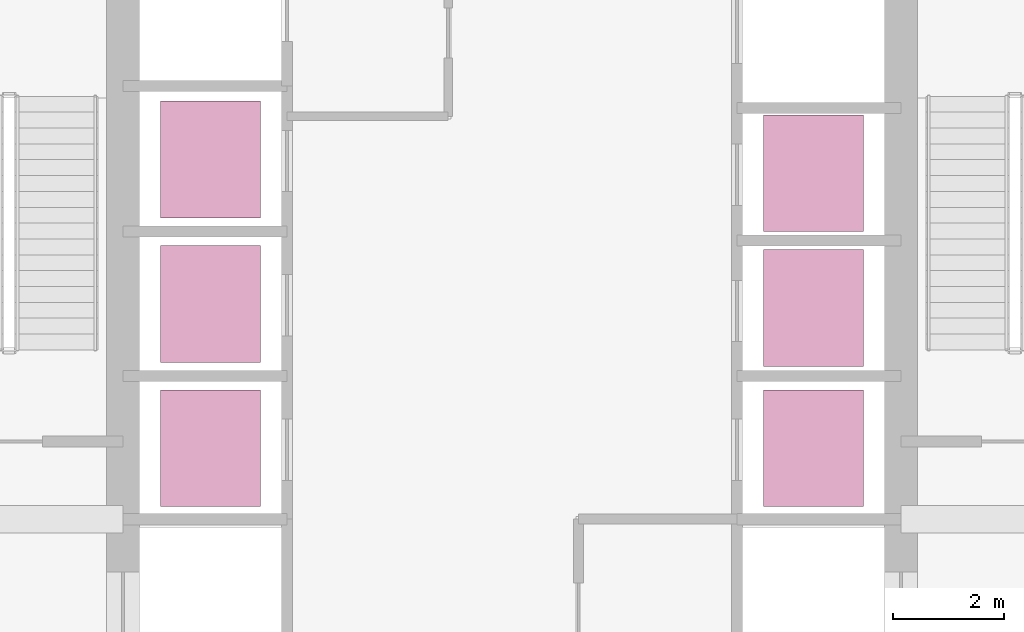
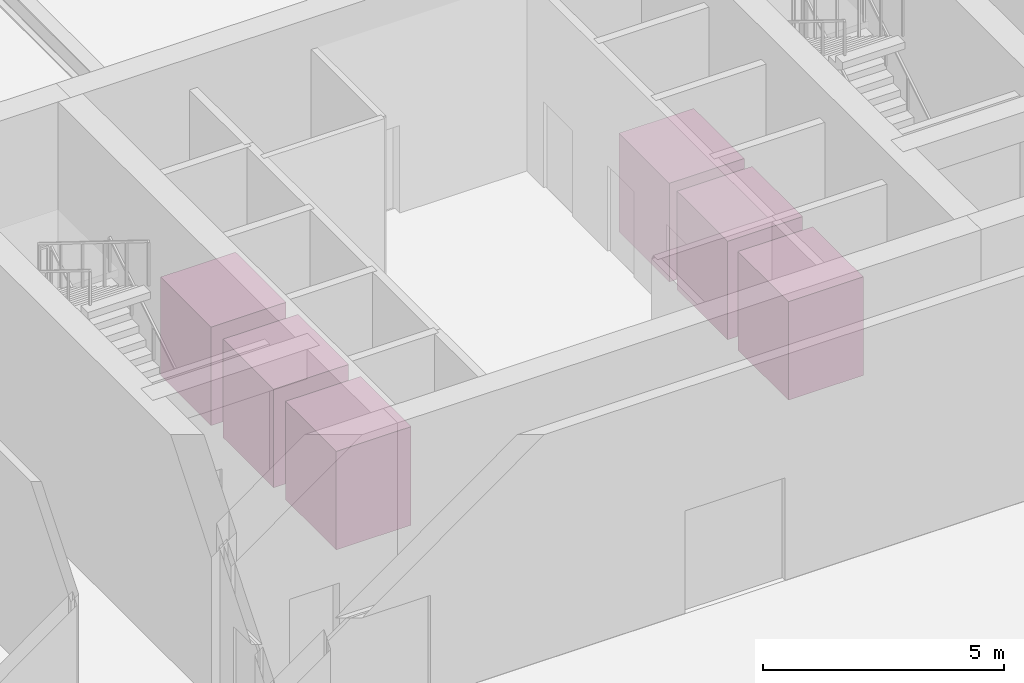
# One storey, part 49 of 49: 6 transport elements.
"""IFC4 building model written with IfcOpenShell, lengths in metres."""

import ifcopenshell
import ifcopenshell.guid

model = None  # the IFC model being written
_history = None  # IfcOwnerHistory: only IFC2X3 demands one
_inside = {}  # id of a spatial element -> (the spatial element, [elements in it])
_under = {}  # id of a project, library or spatial element -> (it, [spatial elements below it])
_declared = {}  # id of a project -> (the project, [libraries it declares])
_typed = {}  # id of a type object -> (the type object, [elements of that type])
_made_of = {}  # id of a material, layer set ... -> (it, [elements and type objects made of it])


def new_model(schema):
    """Start an empty IFC model of exactly this schema.

    Asked for "IFC4X3", IfcOpenShell would pick the latest addendum, in which some entities
    have other attributes; the version numbers below select the first issue.
    IFC2X3 requires an IfcOwnerHistory on every rooted entity: one is made here for all.
    """
    global model, _history
    if schema == "IFC4X3":
        model = ifcopenshell.file(schema_version=(4, 3, 0, 0))
    else:
        model = ifcopenshell.file(schema=schema)
    _inside.clear()
    _under.clear()
    _declared.clear()
    _typed.clear()
    _made_of.clear()
    _history = None
    if model.schema == "IFC2X3":
        org = make("IfcOrganization", Name="unknown")
        user = make(
            "IfcPersonAndOrganization",
            ThePerson=make("IfcPerson", FamilyName="unknown"),
            TheOrganization=org,
        )
        app = make(
            "IfcApplication",
            ApplicationDeveloper=org,
            Version="unknown",
            ApplicationFullName="unknown",
            ApplicationIdentifier="unknown",
        )
        _history = make(
            "IfcOwnerHistory",
            OwningUser=user,
            OwningApplication=app,
            ChangeAction="ADDED",
            CreationDate=0,
        )
    return model


def make(cls, **values):
    """One entity of the class cls with the attributes given. An attribute that is None is left unset."""
    return model.create_entity(
        cls, **{name: value for name, value in values.items() if value is not None}
    )


def rooted(cls, **values):
    """An entity with a GlobalId (a new one), such as an element, a storey or a relation."""
    return make(cls, GlobalId=ifcopenshell.guid.new(), OwnerHistory=_history, **values)


def si_unit(unit_type, name, prefix=None):
    """IfcSIUnit, for example si_unit("LENGTHUNIT", "METRE", prefix="MILLI")."""
    return make("IfcSIUnit", UnitType=unit_type, Prefix=prefix, Name=name)


def assignment(units):
    """IfcUnitAssignment: the units of a project."""
    return None if units is None else make("IfcUnitAssignment", Units=units)


def point(xyz):
    """IfcCartesianPoint."""
    return None if xyz is None else make("IfcCartesianPoint", Coordinates=xyz)


def direction(xyz):
    """IfcDirection."""
    return None if xyz is None else make("IfcDirection", DirectionRatios=xyz)


def frame(location, z_axis=None, x_axis=None):
    """IfcAxis2Placement3D, a coordinate frame: its origin and axes. An axis left out is left unset."""
    return make(
        "IfcAxis2Placement3D",
        Location=point(location),
        Axis=direction(z_axis),
        RefDirection=direction(x_axis),
    )


def frame_2d(location, x_axis=None):
    """IfcAxis2Placement2D, a coordinate frame in the plane: its origin and x axis."""
    return make(
        "IfcAxis2Placement2D", Location=point(location), RefDirection=direction(x_axis)
    )


def origin():
    """The frame at (0, 0, 0) with its axes left unset."""
    return frame((0.0, 0.0, 0.0))


def origin_2d():
    """The frame at (0, 0) in the plane with its x axis left unset."""
    return frame_2d((0.0, 0.0))


def place(relative_to, where):
    """IfcLocalPlacement: puts the frame where relative to a parent placement (None: the world)."""
    return make(
        "IfcLocalPlacement", PlacementRelTo=relative_to, RelativePlacement=where
    )


def context(
    kind, dimensions, precision=None, world=None, true_north=None, identifier=None
):
    """IfcGeometricRepresentationContext, for example the 3D "Model" context."""
    return make(
        "IfcGeometricRepresentationContext",
        ContextIdentifier=identifier,
        ContextType=kind,
        CoordinateSpaceDimension=dimensions,
        Precision=precision,
        WorldCoordinateSystem=world,
        TrueNorth=true_north,
    )


def subcontext(parent, identifier, kind, view, scale=None):
    """IfcGeometricRepresentationSubContext, for example "Body" below "Model"."""
    return make(
        "IfcGeometricRepresentationSubContext",
        ContextIdentifier=identifier,
        ContextType=kind,
        ParentContext=parent,
        TargetScale=scale,
        TargetView=view,
    )


def project(units=None, contexts=None):
    """IfcProject with its units and contexts."""
    return rooted(
        "IfcProject",
        Name="project",
        RepresentationContexts=contexts,
        UnitsInContext=assignment(units),
    )


def spatial(cls, under=None, at=None, **own):
    """A site, building, storey or space (cls), placed at a placement, below another one or the project."""
    s = rooted(cls, ObjectPlacement=at, **own)
    if under is not None:
        _under.setdefault(under.id(), (under, []))[1].append(s)
    return s


def profile(cls, at=None, kind="AREA", **sizes):
    """A parametric profile (cls). Its sizes go by their IFC names, for example OverallWidth=200.0."""
    return make(cls, ProfileType=kind, Position=at, **sizes)


def rectangle(**sizes):
    """IfcRectangleProfileDef."""
    return profile("IfcRectangleProfileDef", **sizes)


def extrude(swept, where, along, depth):
    """IfcExtrudedAreaSolid: the profile swept, set in the frame where, extruded along a direction by depth."""
    return make(
        "IfcExtrudedAreaSolid",
        SweptArea=swept,
        Position=where,
        ExtrudedDirection=direction(along),
        Depth=depth,
    )


def shape(context_of_items, identifier, shape_type, items):
    """IfcShapeRepresentation: the items that make up one representation, for example the "Body"."""
    return make(
        "IfcShapeRepresentation",
        ContextOfItems=context_of_items,
        RepresentationIdentifier=identifier,
        RepresentationType=shape_type,
        Items=items,
    )


def material(Name=None, Category=None):
    """IfcMaterial."""
    return make("IfcMaterial", Name=Name, Category=Category)


def made_of(thing, what):
    """Note that an element or type object is made of a material, layer set ...; save() writes the relation."""
    if what is not None:
        _made_of.setdefault(what.id(), (what, []))[1].append(thing)
    return thing


def type_object(cls, material=None, **own):
    """A type object (cls), such as IfcWallType, which elements share."""
    return made_of(rooted(cls, **own), material)


def element(
    cls,
    number,
    at=None,
    inside=None,
    cuts=None,
    type_object=None,
    material=None,
    context=None,
    identifier="Body",
    shape_type=None,
    held_by="IfcProductDefinitionShape",
    body=None,
    shapes=None,
    **own,
):
    """One element of the class cls, such as IfcWall. Its Tag is "e" and its number.

    at: its placement. inside: the storey or other place that contains it. cuts: it is an
    opening in that element (IfcRelVoidsElement). A single representation is given by context,
    identifier, shape_type and body (its items); several are given by shapes. held_by: the class
    of the entity that holds the representations. save() writes the other relations.
    """
    e = rooted(cls, Tag="e%d" % number, ObjectPlacement=at, **own)
    if body is not None:
        shapes = [shape(context, identifier, shape_type, body)]
    if shapes is not None:
        e.Representation = make(held_by, Representations=shapes)
    if inside is not None:
        _inside.setdefault(inside.id(), (inside, []))[1].append(e)
    if cuts is not None:
        rooted(
            "IfcRelVoidsElement", RelatingBuildingElement=cuts, RelatedOpeningElement=e
        )
    if type_object is not None:
        _typed.setdefault(type_object.id(), (type_object, []))[1].append(e)
    return made_of(e, material)


def aggregate(whole, parts):
    """IfcRelAggregates: a whole, such as a stair, and the parts it consists of."""
    return rooted("IfcRelAggregates", RelatingObject=whole, RelatedObjects=parts)


def save(model, path):
    """Write the relations noted so far, then the file.

    IfcRelAggregates (storeys below a building ...), IfcRelContainedInSpatialStructure (elements
    in a storey), IfcRelDefinesByType, IfcRelAssociatesMaterial and IfcRelDeclares: one each for
    every whole, place, type object, material and project.
    """
    for whole, parts in _under.values():
        aggregate(whole, parts)
    for where, things in _inside.values():
        rooted(
            "IfcRelContainedInSpatialStructure",
            RelatedElements=things,
            RelatingStructure=where,
        )
    for kind, things in _typed.values():
        rooted("IfcRelDefinesByType", RelatedObjects=things, RelatingType=kind)
    for what, things in _made_of.values():
        rooted("IfcRelAssociatesMaterial", RelatedObjects=things, RelatingMaterial=what)
    for by, libraries in _declared.values():
        rooted("IfcRelDeclares", RelatingContext=by, RelatedDefinitions=libraries)
    model.write(path)


model = new_model("IFC4")

# Units and contexts
model_context = context("Model", 3, precision=1e-05, world=origin(), true_north=direction((0.0, 1.0)))
body_context = subcontext(model_context, "Body", "Model", "MODEL_VIEW")
ifc_project = project(units=[si_unit("LENGTHUNIT", "METRE"), si_unit("AREAUNIT", "SQUARE_METRE"), si_unit("VOLUMEUNIT", "CUBIC_METRE"), si_unit("PLANEANGLEUNIT", "RADIAN"), si_unit("MASSUNIT", "GRAM", prefix="KILO")], contexts=[model_context])

# Site, building, storey
site_placement = place(None, origin())
site = spatial("IfcSite", under=ifc_project, at=site_placement, CompositionType="ELEMENT")
building_placement = place(site_placement, origin())
building = spatial("IfcBuilding", under=site, at=building_placement, Name="Sarneth Arch Tower", CompositionType="ELEMENT")
storey_placement = place(building_placement, origin())
storey = spatial("IfcBuildingStorey", under=building, at=storey_placement, Name="L00", CompositionType="ELEMENT", Elevation=0.0)

# Transport elements
ifc_material = material(Name="Stainless Steel 304 passenger lift car", Category="steel")
transport_element_type = type_object("IfcTransportElementType", Name="LIFT-PASS-1600", PredefinedType="ELEVATOR", material=ifc_material)
for number, where, z_axis, x_axis, name in (
    (1, (42.574951171875, 39.675048828125, 0.0), (0.0, 0.0, 1.0), (1.0, 0.0, 0.0), "Elevator PL-1"),
    (2, (42.574951171875, 42.27490234375, 0.0), (0.0, 0.0, 1.0), (1.0, 0.0, 0.0), "Elevator PL-2"),
    (3, (42.574951171875, 44.875, 0.0), (0.0, 0.0, 1.0), (1.0, 0.0, 0.0), "Elevator PM-1"),
    (4, (53.425048828125, 39.675048828125, 0.0), (0.0, 0.0, 1.0), (1.0, 0.0, 0.0), "Elevator PM-2"),
    (5, (53.425048828125, 42.199951171875, 0.0), (0.0, 0.0, 1.0), (1.0, 0.0, 0.0), "Elevator PH-1"),
    (6, (53.425048828125, 44.625, 0.0), (0.0, 0.0, 1.0), (1.0, 0.0, 0.0), "Elevator PH-2"),
):
    element("IfcTransportElement", number, at=place(storey_placement, frame(where, z_axis=z_axis, x_axis=x_axis)), inside=storey, type_object=transport_element_type, Name=name, PredefinedType="ELEVATOR", context=body_context, shape_type="SweptSolid", body=[
        extrude(rectangle(XDim=1.800048828125, YDim=2.10009765625, at=origin_2d()), origin(), (0.0, 0.0, 1.0), 2.5),
    ])

save(model, "model.ifc")
